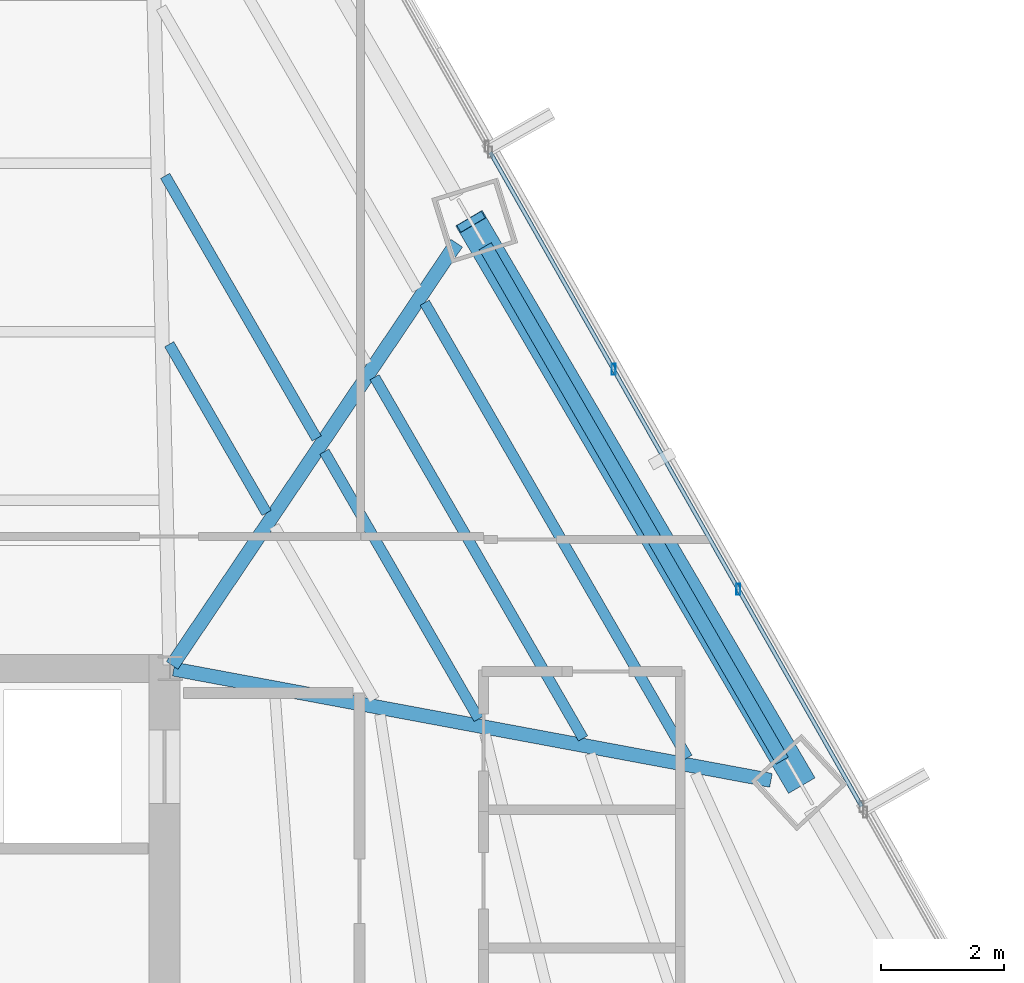
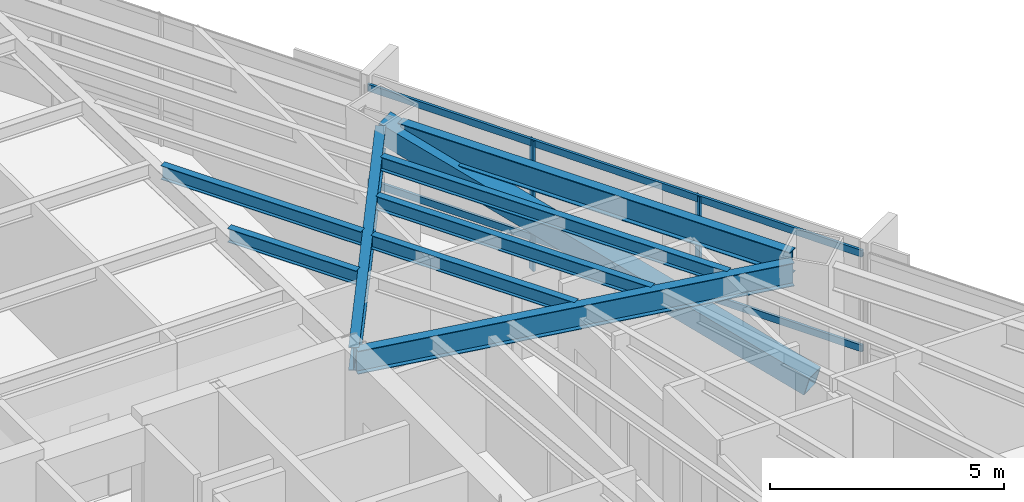
# One storey, part 23 of 37: 8 beams, 5 members, 1 element without a shape of its own.
"""IFC4 building model written with IfcOpenShell, lengths in metres."""

import ifcopenshell
import ifcopenshell.guid

model = None  # the IFC model being written
_history = None  # IfcOwnerHistory: only IFC2X3 demands one
_inside = {}  # id of a spatial element -> (the spatial element, [elements in it])
_under = {}  # id of a project, library or spatial element -> (it, [spatial elements below it])
_declared = {}  # id of a project -> (the project, [libraries it declares])
_typed = {}  # id of a type object -> (the type object, [elements of that type])
_made_of = {}  # id of a material, layer set ... -> (it, [elements and type objects made of it])


def new_model(schema):
    """Start an empty IFC model of exactly this schema.

    Asked for "IFC4X3", IfcOpenShell would pick the latest addendum, in which some entities
    have other attributes; the version numbers below select the first issue.
    IFC2X3 requires an IfcOwnerHistory on every rooted entity: one is made here for all.
    """
    global model, _history
    if schema == "IFC4X3":
        model = ifcopenshell.file(schema_version=(4, 3, 0, 0))
    else:
        model = ifcopenshell.file(schema=schema)
    _inside.clear()
    _under.clear()
    _declared.clear()
    _typed.clear()
    _made_of.clear()
    _history = None
    if model.schema == "IFC2X3":
        org = make("IfcOrganization", Name="unknown")
        user = make(
            "IfcPersonAndOrganization",
            ThePerson=make("IfcPerson", FamilyName="unknown"),
            TheOrganization=org,
        )
        app = make(
            "IfcApplication",
            ApplicationDeveloper=org,
            Version="unknown",
            ApplicationFullName="unknown",
            ApplicationIdentifier="unknown",
        )
        _history = make(
            "IfcOwnerHistory",
            OwningUser=user,
            OwningApplication=app,
            ChangeAction="ADDED",
            CreationDate=0,
        )
    return model


def make(cls, **values):
    """One entity of the class cls with the attributes given. An attribute that is None is left unset."""
    return model.create_entity(
        cls, **{name: value for name, value in values.items() if value is not None}
    )


def rooted(cls, **values):
    """An entity with a GlobalId (a new one), such as an element, a storey or a relation."""
    return make(cls, GlobalId=ifcopenshell.guid.new(), OwnerHistory=_history, **values)


def si_unit(unit_type, name, prefix=None):
    """IfcSIUnit, for example si_unit("LENGTHUNIT", "METRE", prefix="MILLI")."""
    return make("IfcSIUnit", UnitType=unit_type, Prefix=prefix, Name=name)


def assignment(units):
    """IfcUnitAssignment: the units of a project."""
    return None if units is None else make("IfcUnitAssignment", Units=units)


def point(xyz):
    """IfcCartesianPoint."""
    return None if xyz is None else make("IfcCartesianPoint", Coordinates=xyz)


def direction(xyz):
    """IfcDirection."""
    return None if xyz is None else make("IfcDirection", DirectionRatios=xyz)


def frame(location, z_axis=None, x_axis=None):
    """IfcAxis2Placement3D, a coordinate frame: its origin and axes. An axis left out is left unset."""
    return make(
        "IfcAxis2Placement3D",
        Location=point(location),
        Axis=direction(z_axis),
        RefDirection=direction(x_axis),
    )


def frame_2d(location, x_axis=None):
    """IfcAxis2Placement2D, a coordinate frame in the plane: its origin and x axis."""
    return make(
        "IfcAxis2Placement2D", Location=point(location), RefDirection=direction(x_axis)
    )


def origin():
    """The frame at (0, 0, 0) with its axes left unset."""
    return frame((0.0, 0.0, 0.0))


def origin_2d():
    """The frame at (0, 0) in the plane with its x axis left unset."""
    return frame_2d((0.0, 0.0))


def place(relative_to, where):
    """IfcLocalPlacement: puts the frame where relative to a parent placement (None: the world)."""
    return make(
        "IfcLocalPlacement", PlacementRelTo=relative_to, RelativePlacement=where
    )


def context(
    kind, dimensions, precision=None, world=None, true_north=None, identifier=None
):
    """IfcGeometricRepresentationContext, for example the 3D "Model" context."""
    return make(
        "IfcGeometricRepresentationContext",
        ContextIdentifier=identifier,
        ContextType=kind,
        CoordinateSpaceDimension=dimensions,
        Precision=precision,
        WorldCoordinateSystem=world,
        TrueNorth=true_north,
    )


def subcontext(parent, identifier, kind, view, scale=None):
    """IfcGeometricRepresentationSubContext, for example "Body" below "Model"."""
    return make(
        "IfcGeometricRepresentationSubContext",
        ContextIdentifier=identifier,
        ContextType=kind,
        ParentContext=parent,
        TargetScale=scale,
        TargetView=view,
    )


def project(units=None, contexts=None):
    """IfcProject with its units and contexts."""
    return rooted(
        "IfcProject",
        Name="project",
        RepresentationContexts=contexts,
        UnitsInContext=assignment(units),
    )


def spatial(cls, under=None, at=None, **own):
    """A site, building, storey or space (cls), placed at a placement, below another one or the project."""
    s = rooted(cls, ObjectPlacement=at, **own)
    if under is not None:
        _under.setdefault(under.id(), (under, []))[1].append(s)
    return s


def profile(cls, at=None, kind="AREA", **sizes):
    """A parametric profile (cls). Its sizes go by their IFC names, for example OverallWidth=200.0."""
    return make(cls, ProfileType=kind, Position=at, **sizes)


def hollow_rectangle(**sizes):
    """IfcRectangleHollowProfileDef."""
    return profile("IfcRectangleHollowProfileDef", **sizes)


def i_section(**sizes):
    """IfcIShapeProfileDef."""
    return profile("IfcIShapeProfileDef", **sizes)


def extrude(swept, where, along, depth):
    """IfcExtrudedAreaSolid: the profile swept, set in the frame where, extruded along a direction by depth."""
    return make(
        "IfcExtrudedAreaSolid",
        SweptArea=swept,
        Position=where,
        ExtrudedDirection=direction(along),
        Depth=depth,
    )


def shape(context_of_items, identifier, shape_type, items):
    """IfcShapeRepresentation: the items that make up one representation, for example the "Body"."""
    return make(
        "IfcShapeRepresentation",
        ContextOfItems=context_of_items,
        RepresentationIdentifier=identifier,
        RepresentationType=shape_type,
        Items=items,
    )


def source(mapping_origin, context_of_items, identifier, shape_type, items):
    """IfcRepresentationMap: a shape defined once, which mapped items show again and again."""
    return make(
        "IfcRepresentationMap",
        MappingOrigin=mapping_origin,
        MappedRepresentation=shape(context_of_items, identifier, shape_type, items),
    )


def transform(
    local_origin,
    x_axis=None,
    y_axis=None,
    z_axis=None,
    scale=None,
    scale2=None,
    scale3=None,
    uniform=True,
):
    """IfcCartesianTransformationOperator3D, or its non-uniform kind. x_axis, y_axis, z_axis: its Axis1, 2, 3."""
    if uniform:
        return make(
            "IfcCartesianTransformationOperator3D",
            Axis1=direction(x_axis),
            Axis2=direction(y_axis),
            LocalOrigin=point(local_origin),
            Scale=scale,
            Axis3=direction(z_axis),
        )
    return make(
        "IfcCartesianTransformationOperator3DnonUniform",
        Axis1=direction(x_axis),
        Axis2=direction(y_axis),
        LocalOrigin=point(local_origin),
        Scale=scale,
        Axis3=direction(z_axis),
        Scale2=scale2,
        Scale3=scale3,
    )


def mapped(mapping_source, mapping_target):
    """IfcMappedItem: shows the shape of a source again, moved by a transform."""
    return make(
        "IfcMappedItem", MappingSource=mapping_source, MappingTarget=mapping_target
    )


def material(Name=None, Category=None):
    """IfcMaterial."""
    return make("IfcMaterial", Name=Name, Category=Category)


def material_profile(
    of_material, cross_section, Name=None, Category=None, Priority=None
):
    """IfcMaterialProfile: a cross section and its material."""
    return make(
        "IfcMaterialProfile",
        Name=Name,
        Material=of_material,
        Profile=cross_section,
        Priority=Priority,
        Category=Category,
    )


def profile_set(profiles, Name=None, composite=None):
    """IfcMaterialProfileSet."""
    return make(
        "IfcMaterialProfileSet",
        Name=Name,
        MaterialProfiles=profiles,
        CompositeProfile=composite,
    )


def made_of(thing, what):
    """Note that an element or type object is made of a material, layer set ...; save() writes the relation."""
    if what is not None:
        _made_of.setdefault(what.id(), (what, []))[1].append(thing)
    return thing


def type_object(cls, material=None, **own):
    """A type object (cls), such as IfcWallType, which elements share."""
    return made_of(rooted(cls, **own), material)


def type_shapes(of_type, sources):
    """Give a type object the sources (RepresentationMaps) that its elements show as mapped items."""
    of_type.RepresentationMaps = sources


def element(
    cls,
    number,
    at=None,
    inside=None,
    cuts=None,
    type_object=None,
    material=None,
    context=None,
    identifier="Body",
    shape_type=None,
    held_by="IfcProductDefinitionShape",
    body=None,
    shapes=None,
    **own,
):
    """One element of the class cls, such as IfcWall. Its Tag is "e" and its number.

    at: its placement. inside: the storey or other place that contains it. cuts: it is an
    opening in that element (IfcRelVoidsElement). A single representation is given by context,
    identifier, shape_type and body (its items); several are given by shapes. held_by: the class
    of the entity that holds the representations. save() writes the other relations.
    """
    e = rooted(cls, Tag="e%d" % number, ObjectPlacement=at, **own)
    if body is not None:
        shapes = [shape(context, identifier, shape_type, body)]
    if shapes is not None:
        e.Representation = make(held_by, Representations=shapes)
    if inside is not None:
        _inside.setdefault(inside.id(), (inside, []))[1].append(e)
    if cuts is not None:
        rooted(
            "IfcRelVoidsElement", RelatingBuildingElement=cuts, RelatedOpeningElement=e
        )
    if type_object is not None:
        _typed.setdefault(type_object.id(), (type_object, []))[1].append(e)
    return made_of(e, material)


def aggregate(whole, parts):
    """IfcRelAggregates: a whole, such as a stair, and the parts it consists of."""
    return rooted("IfcRelAggregates", RelatingObject=whole, RelatedObjects=parts)


def save(model, path):
    """Write the relations noted so far, then the file.

    IfcRelAggregates (storeys below a building ...), IfcRelContainedInSpatialStructure (elements
    in a storey), IfcRelDefinesByType, IfcRelAssociatesMaterial and IfcRelDeclares: one each for
    every whole, place, type object, material and project.
    """
    for whole, parts in _under.values():
        aggregate(whole, parts)
    for where, things in _inside.values():
        rooted(
            "IfcRelContainedInSpatialStructure",
            RelatedElements=things,
            RelatingStructure=where,
        )
    for kind, things in _typed.values():
        rooted("IfcRelDefinesByType", RelatedObjects=things, RelatingType=kind)
    for what, things in _made_of.values():
        rooted("IfcRelAssociatesMaterial", RelatedObjects=things, RelatingMaterial=what)
    for by, libraries in _declared.values():
        rooted("IfcRelDeclares", RelatingContext=by, RelatedDefinitions=libraries)
    model.write(path)


model = new_model("IFC4")

# Units and contexts
model_context = context("Model", 3, precision=1e-05, world=origin(), true_north=direction((0.0, 1.0)))
body_context = subcontext(model_context, "Body", "Model", "MODEL_VIEW")
ifc_project = project(units=[si_unit("LENGTHUNIT", "METRE"), si_unit("AREAUNIT", "SQUARE_METRE"), si_unit("VOLUMEUNIT", "CUBIC_METRE"), si_unit("PLANEANGLEUNIT", "RADIAN"), si_unit("MASSUNIT", "GRAM", prefix="KILO")], contexts=[model_context])

# Site, building, storey
site_placement = place(None, origin())
site = spatial("IfcSite", under=ifc_project, at=site_placement, CompositionType="ELEMENT")
building_placement = place(site_placement, origin())
building = spatial("IfcBuilding", under=site, at=building_placement, Name="Caelisora Broadcast Tower", CompositionType="ELEMENT")
storey_placement = place(building_placement, frame((0.0, 0.0, 116.35009765625)))
storey = spatial("IfcBuildingStorey", under=building, at=storey_placement, Name="L30", CompositionType="ELEMENT", Elevation=116.35009765625)

# Beams
ifc_material_1 = material(Name="Steel Grade 350 (AS/NZS 3679.1)", Category="steel")
ifc_material_profile_1 = material_profile(ifc_material_1, i_section(OverallWidth=0.22900390625, OverallDepth=0.611572265625, WebThickness=0.011962890625, FlangeThickness=0.01953125, at=origin_2d()), Name="Steel Grade 350 (AS/NZS 3679.1)")
ifc_profile_set_1 = profile_set([ifc_material_profile_1], Name="Steel Grade 350 (AS/NZS 3679.1)")
beam_type_1 = type_object("IfcBeamType", Name="PG03", PredefinedType="BEAM", material=ifc_profile_set_1)
shared_shape_1 = source(origin(), body_context, "Body", "SweptSolid", [
    extrude(i_section(OverallWidth=0.22900390625, OverallDepth=0.611572265625, WebThickness=0.011962890625, FlangeThickness=0.01953125, at=origin_2d()), origin(), (0.0, 0.0, 1.0), 9.664306640625),
])
type_shapes(beam_type_1, [shared_shape_1])
beam_1_placement = place(storey_placement, frame((55.458740234375, 28.5, 3.093994140625), z_axis=(-0.4999863219, 0.866033300695, 0.0), x_axis=(-0.866033300695, -0.4999863219, 0.0)))
element("IfcBeam", 1, at=beam_1_placement, inside=storey, type_object=beam_type_1, Name="L30 beam PG03", PredefinedType="BEAM", context=body_context, shape_type="MappedRepresentation", body=[
    mapped(shared_shape_1, transform((0.0, 0.0, 0.0), scale=1.0)),
])
ifc_material_profile_2 = material_profile(ifc_material_1, i_section(OverallWidth=0.22802734375, OverallDepth=0.602294921875, WebThickness=0.010498046875, FlangeThickness=0.014892578125, at=origin_2d()), Name="Steel Grade 350 (AS/NZS 3679.1)")
ifc_profile_set_2 = profile_set([ifc_material_profile_2], Name="Steel Grade 350 (AS/NZS 3679.1)")
beam_type_2 = type_object("IfcBeamType", Name="PG04", PredefinedType="BEAM", material=ifc_profile_set_2)
shared_shape_2 = source(origin(), body_context, "Body", "SweptSolid", [
    extrude(i_section(OverallWidth=0.22802734375, OverallDepth=0.602294921875, WebThickness=0.010498046875, FlangeThickness=0.014892578125, at=origin_2d()), origin(), (0.0, 0.0, 1.0), 8.28369140625),
])
beam_2_placement = place(storey_placement, frame((45.533447265625, 30.0498046875, 3.098876953125), z_axis=(0.558733613554, 0.829347182478, 0.0), x_axis=(-0.829347182478, 0.558733613554, 0.0)))
element("IfcBeam", 2, at=beam_2_placement, inside=storey, type_object=beam_type_2, Name="L30 beam PG04", PredefinedType="BEAM", context=body_context, shape_type="MappedRepresentation", body=[
    mapped(shared_shape_2, transform((0.0, 0.0, 0.0), scale=1.0)),
])
shared_shape_3 = source(origin(), body_context, "Body", "SweptSolid", [
    extrude(i_section(OverallWidth=0.22802734375, OverallDepth=0.602294921875, WebThickness=0.010498046875, FlangeThickness=0.014892578125, at=origin_2d()), origin(), (0.0, 0.0, 1.0), 9.884033203125),
])
type_shapes(beam_type_2, [shared_shape_2, shared_shape_3])
beam_3_placement = place(storey_placement, frame((45.55908203125, 29.989013671875, 3.098876953125), z_axis=(0.983084051814, -0.18315498101, 0.0), x_axis=(0.18315498101, 0.983084051814, 0.0)))
element("IfcBeam", 3, at=beam_3_placement, inside=storey, type_object=beam_type_2, Name="L30 beam PG04", PredefinedType="BEAM", context=body_context, shape_type="MappedRepresentation", body=[
    mapped(shared_shape_3, transform((0.0, 0.0, 0.0), scale=1.0)),
])
ifc_material_profile_3 = material_profile(ifc_material_1, i_section(OverallWidth=0.172119140625, OverallDepth=0.358642578125, WebThickness=0.008056640625, FlangeThickness=0.012939453125, at=origin_2d()), Name="Steel Grade 350 (AS/NZS 3679.1)")
ifc_profile_set_3 = profile_set([ifc_material_profile_3], Name="Steel Grade 350 (AS/NZS 3679.1)")
beam_type_3 = type_object("IfcBeamType", Name="SB02", PredefinedType="JOIST", material=ifc_profile_set_3)
shared_shape_4 = source(origin(), body_context, "Body", "SweptSolid", [
    extrude(i_section(OverallWidth=0.172119140625, OverallDepth=0.358642578125, WebThickness=0.008056640625, FlangeThickness=0.012939453125, at=origin_2d()), origin(), (0.0, 0.0, 1.0), 3.169189453125),
])
beam_4_placement = place(storey_placement, frame((47.0703125, 32.530029296875, 3.220703125), z_axis=(-0.500024743381, 0.866011117715, 0.0), x_axis=(-0.866011117715, -0.500024743381, 0.0)))
element("IfcBeam", 4, at=beam_4_placement, inside=storey, type_object=beam_type_3, Name="L30 beam SB02", PredefinedType="JOIST", context=body_context, shape_type="MappedRepresentation", body=[
    mapped(shared_shape_4, transform((0.0, 0.0, 0.0), scale=1.0)),
])
shared_shape_5 = source(origin(), body_context, "Body", "SweptSolid", [
    extrude(i_section(OverallWidth=0.172119140625, OverallDepth=0.358642578125, WebThickness=0.008056640625, FlangeThickness=0.012939453125, at=origin_2d()), origin(), (0.0, 0.0, 1.0), 4.933349609375),
])
beam_5_placement = place(storey_placement, frame((47.88623046875, 33.741455078125, 3.220703125), z_axis=(-0.499976627501, 0.866038897483, 0.0), x_axis=(-0.866038897483, -0.499976627501, 0.0)))
element("IfcBeam", 5, at=beam_5_placement, inside=storey, type_object=beam_type_3, Name="L30 beam SB02", PredefinedType="JOIST", context=body_context, shape_type="MappedRepresentation", body=[
    mapped(shared_shape_5, transform((0.0, 0.0, 0.0), scale=1.0)),
])
shared_shape_6 = source(origin(), body_context, "Body", "SweptSolid", [
    extrude(i_section(OverallWidth=0.172119140625, OverallDepth=0.358642578125, WebThickness=0.008056640625, FlangeThickness=0.012939453125, at=origin_2d()), origin(), (0.0, 0.0, 1.0), 5.021240234375),
])
beam_6_placement = place(storey_placement, frame((50.52099609375, 29.17822265625, 3.220703125), z_axis=(-0.500029696462, 0.866008257845, 0.0), x_axis=(-0.866008257845, -0.500029696462, 0.0)))
element("IfcBeam", 6, at=beam_6_placement, inside=storey, type_object=beam_type_3, Name="L30 beam SB02", PredefinedType="JOIST", context=body_context, shape_type="MappedRepresentation", body=[
    mapped(shared_shape_6, transform((0.0, 0.0, 0.0), scale=1.0)),
])
shared_shape_7 = source(origin(), body_context, "Body", "SweptSolid", [
    extrude(i_section(OverallWidth=0.172119140625, OverallDepth=0.358642578125, WebThickness=0.008056640625, FlangeThickness=0.012939453125, at=origin_2d()), origin(), (0.0, 0.0, 1.0), 6.78515625),
])
beam_7_placement = place(storey_placement, frame((52.218994140625, 28.86181640625, 3.220703125), z_axis=(-0.499993425452, 0.866029199568, 0.0), x_axis=(-0.866029199568, -0.499993425452, 0.0)))
element("IfcBeam", 7, at=beam_7_placement, inside=storey, type_object=beam_type_3, Name="L30 beam SB02", PredefinedType="JOIST", context=body_context, shape_type="MappedRepresentation", body=[
    mapped(shared_shape_7, transform((0.0, 0.0, 0.0), scale=1.0)),
])
shared_shape_8 = source(origin(), body_context, "Body", "SweptSolid", [
    extrude(i_section(OverallWidth=0.172119140625, OverallDepth=0.358642578125, WebThickness=0.008056640625, FlangeThickness=0.012939453125, at=origin_2d()), origin(), (0.0, 0.0, 1.0), 8.549560546875),
])
type_shapes(beam_type_3, [shared_shape_4, shared_shape_5, shared_shape_6, shared_shape_7, shared_shape_8])
beam_8_placement = place(storey_placement, frame((53.917236328125, 28.54541015625, 3.220703125), z_axis=(-0.500014957246, 0.866016768042, 0.0), x_axis=(-0.866016768042, -0.500014957246, 0.0)))
element("IfcBeam", 8, at=beam_8_placement, inside=storey, type_object=beam_type_3, Name="L30 beam SB02", PredefinedType="JOIST", context=body_context, shape_type="MappedRepresentation", body=[
    mapped(shared_shape_8, transform((0.0, 0.0, 0.0), scale=1.0)),
])

# Member
ifc_material_2 = material(Name="Steel Grade 450 L15 (AS/NZS 3678)", Category="steel")
ifc_material_profile_4 = material_profile(ifc_material_2, hollow_rectangle(XDim=0.5, YDim=0.5, WallThickness=0.02001953125, at=origin_2d()), Name="Steel Grade 450 L15 (AS/NZS 3678)")
ifc_profile_set_4 = profile_set([ifc_material_profile_4], Name="Steel Grade 450 L15 (AS/NZS 3678)")
member_type_1 = type_object("IfcMemberType", Name="BR02", PredefinedType="BRACE", material=ifc_profile_set_4)
shared_shape_9 = source(origin(), body_context, "Body", "SweptSolid", [
    extrude(hollow_rectangle(XDim=0.5, YDim=0.5, WallThickness=0.02001953125, at=origin_2d()), origin(), (0.0, 0.0, 1.0), 10.98583984375),
])
type_shapes(member_type_1, [shared_shape_9])
member_1_placement = place(storey_placement, frame((55.7431640625, 28.152099609375, 0.099853515625), z_axis=(-0.486689996501, 0.82979533239, 0.273079756941), x_axis=(-0.862580825227, -0.50591928205, 0.0)))
element("IfcMember", 9, at=member_1_placement, inside=storey, type_object=member_type_1, Name="L30 perimeter brace BR02", PredefinedType="BRACE", context=body_context, shape_type="MappedRepresentation", body=[
    mapped(shared_shape_9, transform((0.0, 0.0, 0.0), scale=1.0)),
])

# Curtain wall, members
ifc_material_3 = material(Name="Unitised Aluminium Insulated Shadow-Box Spandrel Curtain Wall", Category="aluminium")
curtain_wall_type = type_object("IfcCurtainWallType", Name="CW-SP1", PredefinedType="NOTDEFINED", material=ifc_material_3)
curtain_wall_placement = place(storey_placement, origin())
curtain_wall = element("IfcCurtainWall", 10, at=curtain_wall_placement, inside=storey, type_object=curtain_wall_type, Name="L30 curtain wall CW-SP1", PredefinedType="NOTDEFINED")
ifc_material_4 = material(Name="Aluminium 6063-T6 Anodised Terracotta Bronze", Category="aluminium")
ifc_material_profile_5 = material_profile(ifc_material_4, hollow_rectangle(XDim=0.06494140625, YDim=0.179931640625, WallThickness=0.00341796875, at=origin_2d()), Name="Aluminium 6063-T6 Anodised Terracotta Bronze")
ifc_profile_set_5 = profile_set([ifc_material_profile_5], Name="Aluminium 6063-T6 Anodised Terracotta Bronze")
member_type_2 = type_object("IfcMemberType", Name="CWM-02", PredefinedType="MULLION", material=ifc_profile_set_5)
shared_shape_10 = source(origin(), body_context, "Body", "SweptSolid", [
    extrude(hollow_rectangle(XDim=0.06494140625, YDim=0.179931640625, WallThickness=0.00341796875, at=origin_2d()), origin(), (0.0, 0.0, 1.0), 3.39990234375),
])
type_shapes(member_type_2, [shared_shape_10])
member_2_placement = place(storey_placement, frame((52.714599609375, 34.864501953125, 0.0), z_axis=(0.0, 0.0, 1.0), x_axis=(1.0, 0.0, 0.0)))
member_2 = element("IfcMember", 11, at=member_2_placement, type_object=member_type_2, Name="L30-CW-B02 mullion #1", PredefinedType="MULLION", context=body_context, shape_type="MappedRepresentation", body=[
    mapped(shared_shape_10, transform((0.0, 0.0, 0.0), scale=1.0)),
])
member_3_placement = place(storey_placement, frame((54.745849609375, 31.287109375, 0.0), z_axis=(0.0, 0.0, 1.0), x_axis=(1.0, 0.0, 0.0)))
member_3 = element("IfcMember", 12, at=member_3_placement, type_object=member_type_2, Name="L30-CW-B02 mullion #2", PredefinedType="MULLION", context=body_context, shape_type="MappedRepresentation", body=[
    mapped(shared_shape_10, transform((0.0, 0.0, 0.0), scale=1.0)),
])
ifc_material_profile_6 = material_profile(ifc_material_4, hollow_rectangle(XDim=0.06494140625, YDim=0.179931640625, WallThickness=0.00341796875, at=origin_2d()), Name="Aluminium 6063-T6 Anodised Terracotta Bronze")
ifc_profile_set_6 = profile_set([ifc_material_profile_6], Name="Aluminium 6063-T6 Anodised Terracotta Bronze")
member_type_3 = type_object("IfcMemberType", Name="CWT-01", PredefinedType="USERDEFINED", material=ifc_profile_set_6)
shared_shape_11 = source(origin(), body_context, "Body", "SweptSolid", [
    extrude(hollow_rectangle(XDim=0.06494140625, YDim=0.179931640625, WallThickness=0.00341796875, at=origin_2d()), origin(), (0.0, 0.0, 1.0), 12.241455078125),
])
type_shapes(member_type_3, [shared_shape_11])
member_4_placement = place(storey_placement, frame((50.708251953125, 38.3984375, 0.849853515625), z_axis=(0.493731491489, -0.869614405534, 0.0), x_axis=(0.869614405534, 0.493731491489, 0.0)))
member_4 = element("IfcMember", 13, at=member_4_placement, type_object=member_type_3, Name="L30-CW-B02 transom #1", ObjectType="TRANSOM", PredefinedType="USERDEFINED", context=body_context, shape_type="MappedRepresentation", body=[
    mapped(shared_shape_11, transform((0.0, 0.0, 0.0), scale=1.0)),
])
member_5_placement = place(storey_placement, frame((50.708251953125, 38.3984375, 3.31982421875), z_axis=(0.493731491489, -0.869614405534, 0.0), x_axis=(0.869614405534, 0.493731491489, 0.0)))
member_5 = element("IfcMember", 14, at=member_5_placement, type_object=member_type_3, Name="L30-CW-B02 transom #2", ObjectType="TRANSOM", PredefinedType="USERDEFINED", context=body_context, shape_type="MappedRepresentation", body=[
    mapped(shared_shape_11, transform((0.0, 0.0, 0.0), scale=1.0)),
])
aggregate(curtain_wall, [member_2, member_3, member_4, member_5])

save(model, "model.ifc")
